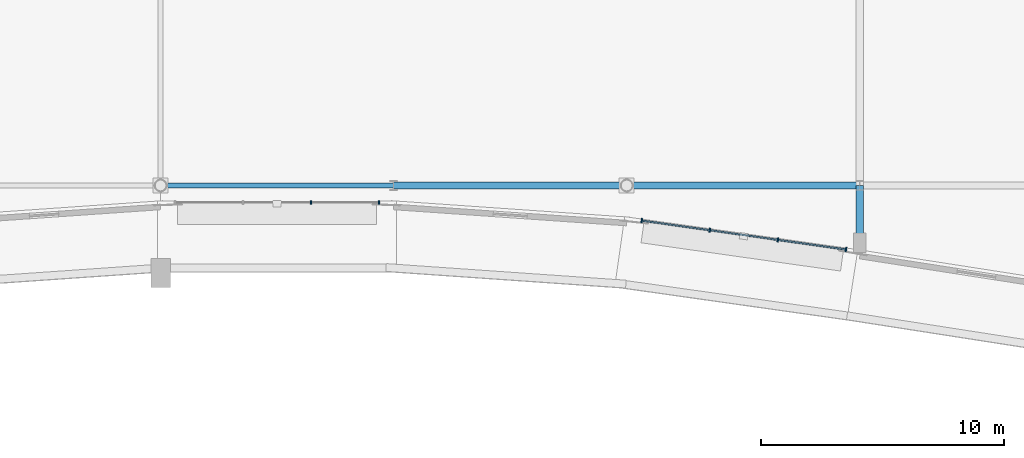
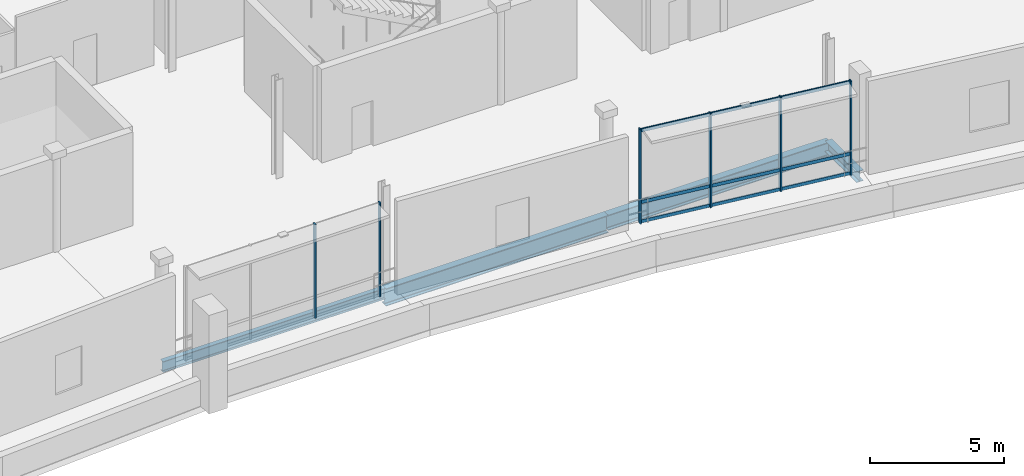
# One storey, part 21 of 59: 9 members, 4 beams, 2 elements without a shape of their own.
"""IFC4 building model written with IfcOpenShell, lengths in metres."""

from ifc_helpers import new_model, si_unit, direction, frame, origin, origin_2d, place, context, subcontext, project, spatial, rectangle, i_section, extrude, material, material_profile, profile_set, type_object, element, aggregate, save


model = new_model("IFC4")

# Units and contexts
model_context = context("Model", 3, precision=1e-05, world=origin(), true_north=direction((0.0, 1.0)))
body_context = subcontext(model_context, "Body", "Model", "MODEL_VIEW")
ifc_project = project(units=[si_unit("LENGTHUNIT", "METRE"), si_unit("AREAUNIT", "SQUARE_METRE"), si_unit("VOLUMEUNIT", "CUBIC_METRE"), si_unit("PLANEANGLEUNIT", "RADIAN"), si_unit("MASSUNIT", "GRAM", prefix="KILO")], contexts=[model_context])

# Site, building, storey
site_placement = place(None, origin())
site = spatial("IfcSite", under=ifc_project, at=site_placement, CompositionType="ELEMENT")
building_placement = place(site_placement, origin())
building = spatial("IfcBuilding", under=site, at=building_placement, Name="Danafjord Basin Convention Centre", CompositionType="ELEMENT")
storey_placement = place(building_placement, frame((0.0, 0.0, 15.89990234375)))
storey = spatial("IfcBuildingStorey", under=building, at=storey_placement, Name="L03", CompositionType="ELEMENT", Elevation=15.89990234375)

# Beams
ifc_material_1 = material(Name="Steel S355", Category="steel")
ifc_material_profile_1 = material_profile(ifc_material_1, i_section(OverallWidth=0.300048828125, OverallDepth=0.489990234375, WebThickness=0.011962890625, FlangeThickness=0.02294921875, FilletRadius=0.027099609375, at=origin_2d()), Name="HEA 500")
ifc_profile_set_1 = profile_set([ifc_material_profile_1], Name="Steel S355")
beam_type_1 = type_object("IfcBeamType", Name="BEAM-BM-HEA500", PredefinedType="BEAM", material=ifc_profile_set_1)
beam_1_placement = place(storey_placement, frame((86.39990234375, 5.64306640625, -0.474853515625), z_axis=(0.0, 1.0, 0.0), x_axis=(-1.0, 0.0, 0.0)))
element("IfcBeam", 1, at=beam_1_placement, inside=storey, type_object=beam_type_1, Name="L03 radial harbour arc girder", PredefinedType="BEAM", context=body_context, shape_type="SweptSolid", body=[
    extrude(i_section(OverallWidth=0.300048828125, OverallDepth=0.489990234375, WebThickness=0.011962890625, FlangeThickness=0.02294921875, FilletRadius=0.027099609375, at=origin_2d()), origin(), (0.0, 0.0, 1.0), 2.35693359375),
])
ifc_material_profile_2 = material_profile(ifc_material_1, i_section(OverallWidth=0.300048828125, OverallDepth=0.699951171875, WebThickness=0.01708984375, FlangeThickness=0.031982421875, FilletRadius=0.027099609375, at=origin_2d()), Name="HEB 700")
ifc_profile_set_2 = profile_set([ifc_material_profile_2], Name="Steel S355")
beam_type_2 = type_object("IfcBeamType", Name="BEAM-BM-HEB700", PredefinedType="BEAM", material=ifc_profile_set_2)
beam_2_placement = place(storey_placement, frame((76.800048828125, 8.0, -0.579833984375), z_axis=(1.0, 0.0, 0.0), x_axis=(0.0, 1.0, 0.0)))
element("IfcBeam", 2, at=beam_2_placement, inside=storey, type_object=beam_type_2, Name="L03 girder BM-HEB700", PredefinedType="BEAM", context=body_context, shape_type="SweptSolid", body=[
    extrude(i_section(OverallWidth=0.300048828125, OverallDepth=0.699951171875, WebThickness=0.01708984375, FlangeThickness=0.031982421875, FilletRadius=0.027099609375, at=origin_2d()), origin(), (0.0, 0.0, 1.0), 9.599853515625),
])
ifc_material_profile_3 = material_profile(ifc_material_1, i_section(OverallWidth=0.300048828125, OverallDepth=0.800048828125, WebThickness=0.017578125, FlangeThickness=0.032958984375, FilletRadius=0.030029296875, at=origin_2d()), Name="HEB 800")
ifc_profile_set_3 = profile_set([ifc_material_profile_3], Name="Steel S355")
beam_type_3 = type_object("IfcBeamType", Name="BEAM-BM-HEB800", PredefinedType="BEAM", material=ifc_profile_set_3)
beam_3_placement = place(storey_placement, frame((67.199951171875, 8.0, -0.6298828125), z_axis=(1.0, 0.0, 0.0), x_axis=(0.0, 1.0, 0.0)))
element("IfcBeam", 3, at=beam_3_placement, inside=storey, type_object=beam_type_3, Name="L03 girder BM-HEB800", PredefinedType="BEAM", context=body_context, shape_type="SweptSolid", body=[
    extrude(i_section(OverallWidth=0.300048828125, OverallDepth=0.800048828125, WebThickness=0.017578125, FlangeThickness=0.032958984375, FilletRadius=0.030029296875, at=origin_2d()), origin(), (0.0, 0.0, 1.0), 9.60009765625),
])
ifc_material_profile_4 = material_profile(ifc_material_1, i_section(OverallWidth=0.199951171875, OverallDepth=0.5, WebThickness=0.01025390625, FlangeThickness=0.01611328125, FilletRadius=0.02099609375, at=origin_2d()), Name="IPE 500")
ifc_profile_set_4 = profile_set([ifc_material_profile_4], Name="Steel S355")
beam_type_4 = type_object("IfcBeamType", Name="BEAM-BM-IPE500", PredefinedType="BEAM", material=ifc_profile_set_4)
beam_4_placement = place(storey_placement, frame((57.60009765625, 8.0, -0.47998046875), z_axis=(1.0, 0.0, 0.0), x_axis=(0.0, 1.0, 0.0)))
element("IfcBeam", 4, at=beam_4_placement, inside=storey, type_object=beam_type_4, Name="L03 girder BM-IPE500", PredefinedType="BEAM", context=body_context, shape_type="SweptSolid", body=[
    extrude(i_section(OverallWidth=0.199951171875, OverallDepth=0.5, WebThickness=0.01025390625, FlangeThickness=0.01611328125, FilletRadius=0.02099609375, at=origin_2d()), origin(), (0.0, 0.0, 1.0), 9.599853515625),
])

# Curtain wall, members
ifc_material_2 = material(Name="Anodised aluminium and triple glazing", Category="aluminium")
curtain_wall_type = type_object("IfcCurtainWallType", Name="CW-CW-TERR", PredefinedType="NOTDEFINED", material=ifc_material_2)
curtain_wall_1_placement = place(storey_placement, origin())
curtain_wall_1 = element("IfcCurtainWall", 5, at=curtain_wall_1_placement, inside=storey, type_object=curtain_wall_type, Name="L03 CW-TERR unitised curtain wall bay 30", PredefinedType="NOTDEFINED")
ifc_material_3 = material(Name="Anodised aluminium EN AW-6060", Category="aluminium")
ifc_material_profile_5 = material_profile(ifc_material_3, rectangle(XDim=0.06005859375, YDim=0.139892578125, at=origin_2d()), Name="MULL 60x140")
ifc_profile_set_5 = profile_set([ifc_material_profile_5], Name="Anodised aluminium EN AW-6060")
member_type_1 = type_object("IfcMemberType", Name="MEM-ML-140", PredefinedType="MULLION", material=ifc_profile_set_5)
member_1_placement = place(storey_placement, frame((63.800048828125, 7.300048828125, -0.02490234375), z_axis=(0.0, 0.0, 1.0), x_axis=(1.0, 0.0, 0.0)))
member_1 = element("IfcMember", 6, at=member_1_placement, type_object=member_type_1, Name="CW-L03-030 mullion 3", PredefinedType="MULLION", context=body_context, shape_type="SweptSolid", body=[
    extrude(rectangle(XDim=0.06005859375, YDim=0.139892578125, at=origin_2d()), origin(), (0.0, 0.0, 1.0), 4.30908203125),
])
member_2_placement = place(storey_placement, frame((66.60009765625, 7.300048828125, -0.02490234375), z_axis=(0.0, 0.0, 1.0), x_axis=(1.0, 0.0, 0.0)))
member_2 = element("IfcMember", 7, at=member_2_placement, type_object=member_type_1, Name="CW-L03-030 mullion 4", PredefinedType="MULLION", context=body_context, shape_type="SweptSolid", body=[
    extrude(rectangle(XDim=0.06005859375, YDim=0.139892578125, at=origin_2d()), origin(), (0.0, 0.0, 1.0), 4.30908203125),
])
aggregate(curtain_wall_1, [member_1, member_2])

curtain_wall_2_placement = place(storey_placement, origin())
curtain_wall_2 = element("IfcCurtainWall", 8, at=curtain_wall_2_placement, inside=storey, type_object=curtain_wall_type, Name="L03 CW-TERR unitised curtain wall bay 31", PredefinedType="NOTDEFINED")
ifc_material_profile_6 = material_profile(ifc_material_3, rectangle(XDim=0.06005859375, YDim=0.179931640625, at=origin_2d()), Name="MULL 60x180")
ifc_profile_set_6 = profile_set([ifc_material_profile_6], Name="Anodised aluminium EN AW-6060")
member_type_2 = type_object("IfcMemberType", Name="MEM-ML-180", PredefinedType="MULLION", material=ifc_profile_set_6)
member_3_placement = place(storey_placement, frame((77.42041015625, 6.554443359375, -0.02490234375), z_axis=(0.0, 0.0, 1.0), x_axis=(0.990128157327, -0.140165017276, 0.0)))
member_3 = element("IfcMember", 9, at=member_3_placement, type_object=member_type_2, Name="CW-L03-031 mullion 1", PredefinedType="MULLION", context=body_context, shape_type="SweptSolid", body=[
    extrude(rectangle(XDim=0.06005859375, YDim=0.179931640625, at=origin_2d()), origin(), (0.0, 0.0, 1.0), 4.30908203125),
])
member_4_placement = place(storey_placement, frame((80.224365234375, 6.15771484375, -0.02490234375), z_axis=(0.0, 0.0, 1.0), x_axis=(0.990128157327, -0.140165017276, 0.0)))
member_4 = element("IfcMember", 10, at=member_4_placement, type_object=member_type_2, Name="CW-L03-031 mullion 2", PredefinedType="MULLION", context=body_context, shape_type="SweptSolid", body=[
    extrude(rectangle(XDim=0.06005859375, YDim=0.179931640625, at=origin_2d()), origin(), (0.0, 0.0, 1.0), 4.30908203125),
])
member_5_placement = place(storey_placement, frame((83.0283203125, 5.760498046875, -0.02490234375), z_axis=(0.0, 0.0, 1.0), x_axis=(0.990128157327, -0.140165017276, 0.0)))
member_5 = element("IfcMember", 11, at=member_5_placement, type_object=member_type_2, Name="CW-L03-031 mullion 3", PredefinedType="MULLION", context=body_context, shape_type="SweptSolid", body=[
    extrude(rectangle(XDim=0.06005859375, YDim=0.179931640625, at=origin_2d()), origin(), (0.0, 0.0, 1.0), 4.30908203125),
])
member_6_placement = place(storey_placement, frame((85.832275390625, 5.36376953125, -0.02490234375), z_axis=(0.0, 0.0, 1.0), x_axis=(0.990128157327, -0.140165017276, 0.0)))
member_6 = element("IfcMember", 12, at=member_6_placement, type_object=member_type_2, Name="CW-L03-031 mullion 4", PredefinedType="MULLION", context=body_context, shape_type="SweptSolid", body=[
    extrude(rectangle(XDim=0.06005859375, YDim=0.179931640625, at=origin_2d()), origin(), (0.0, 0.0, 1.0), 4.30908203125),
])
ifc_material_profile_7 = material_profile(ifc_material_3, rectangle(XDim=0.06005859375, YDim=0.14990234375, at=origin_2d()), Name="TRAN 60x150")
ifc_profile_set_7 = profile_set([ifc_material_profile_7], Name="Anodised aluminium EN AW-6060")
member_type_3 = type_object("IfcMemberType", Name="MEM-TR-150", PredefinedType="USERDEFINED", material=ifc_profile_set_7)
member_7_placement = place(storey_placement, frame((77.42041015625, 6.554443359375, 0.06005859375), z_axis=(0.99013029461, -0.140149918642, 0.0), x_axis=(0.140149918642, 0.99013029461, 0.0)))
member_7 = element("IfcMember", 13, at=member_7_placement, type_object=member_type_3, Name="CW-L03-031 transom 1", ObjectType="TRANSOM", PredefinedType="USERDEFINED", context=body_context, shape_type="SweptSolid", body=[
    extrude(rectangle(XDim=0.06005859375, YDim=0.14990234375, at=origin_2d()), origin(), (0.0, 0.0, 1.0), 8.49560546875),
])
member_8_placement = place(storey_placement, frame((77.42041015625, 6.554443359375, 0.9501953125), z_axis=(0.99013029461, -0.140149918642, 0.0), x_axis=(0.140149918642, 0.99013029461, 0.0)))
member_8 = element("IfcMember", 14, at=member_8_placement, type_object=member_type_3, Name="CW-L03-031 transom 2", ObjectType="TRANSOM", PredefinedType="USERDEFINED", context=body_context, shape_type="SweptSolid", body=[
    extrude(rectangle(XDim=0.06005859375, YDim=0.14990234375, at=origin_2d()), origin(), (0.0, 0.0, 1.0), 8.49560546875),
])
member_9_placement = place(storey_placement, frame((77.42041015625, 6.554443359375, 4.214111328125), z_axis=(0.99013029461, -0.140149918642, 0.0), x_axis=(0.140149918642, 0.99013029461, 0.0)))
member_9 = element("IfcMember", 15, at=member_9_placement, type_object=member_type_3, Name="CW-L03-031 transom 3", ObjectType="TRANSOM", PredefinedType="USERDEFINED", context=body_context, shape_type="SweptSolid", body=[
    extrude(rectangle(XDim=0.06005859375, YDim=0.14990234375, at=origin_2d()), origin(), (0.0, 0.0, 1.0), 8.49560546875),
])
aggregate(curtain_wall_2, [member_3, member_4, member_5, member_6, member_7, member_8, member_9])

save(model, "model.ifc")
